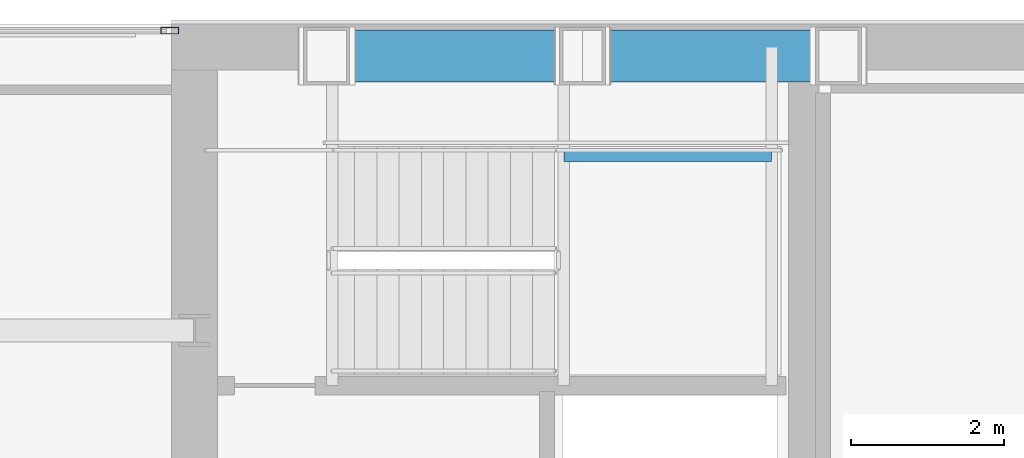
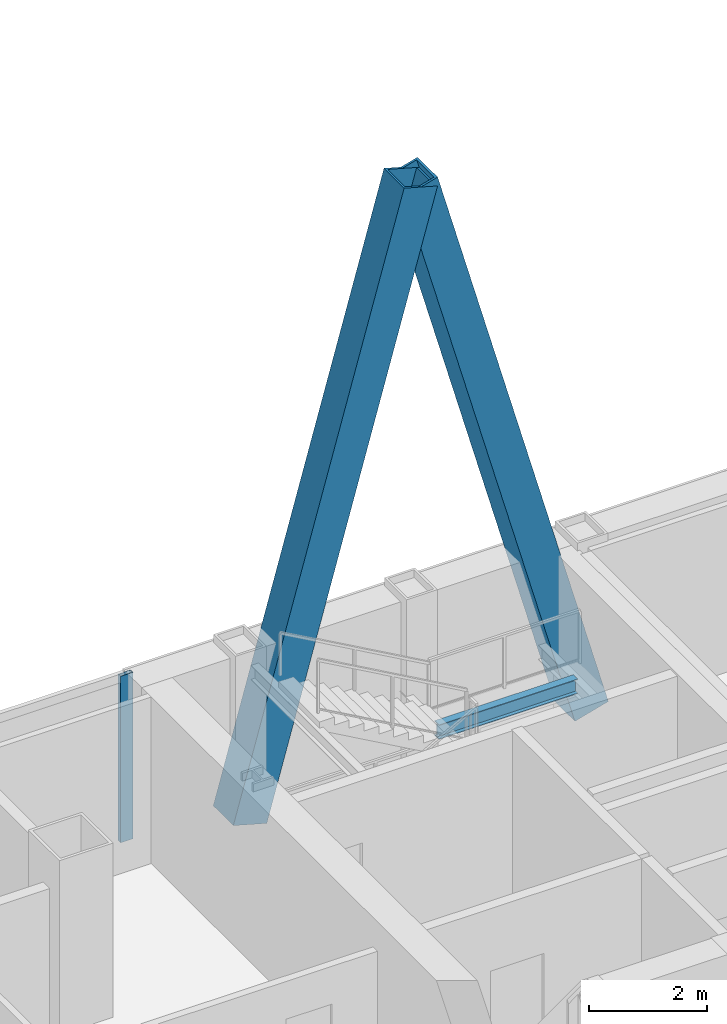
# One storey, part 22 of 31: 3 members, 1 beam, 1 element without a shape of its own.
"""IFC4 building model written with IfcOpenShell, lengths in metres."""

from ifc_helpers import new_model, si_unit, direction, frame, origin, origin_2d, place, context, subcontext, project, spatial, hollow_rectangle, i_section, extrude, material, material_profile, profile_set, type_object, element, aggregate, save


model = new_model("IFC4")

# Units and contexts
model_context = context("Model", 3, precision=1e-05, world=origin(), true_north=direction((0.0, 1.0)))
body_context = subcontext(model_context, "Body", "Model", "MODEL_VIEW")
ifc_project = project(units=[si_unit("LENGTHUNIT", "METRE"), si_unit("AREAUNIT", "SQUARE_METRE"), si_unit("VOLUMEUNIT", "CUBIC_METRE"), si_unit("PLANEANGLEUNIT", "RADIAN"), si_unit("MASSUNIT", "GRAM", prefix="KILO")], contexts=[model_context])

# Site, building, storey
site_placement = place(None, origin())
site = spatial("IfcSite", under=ifc_project, at=site_placement, CompositionType="ELEMENT")
building_placement = place(site_placement, origin())
building = spatial("IfcBuilding", under=site, at=building_placement, Name="Khoronbel Lancet Exchange", CompositionType="ELEMENT")
storey_placement = place(building_placement, frame((0.0, 0.0, 249.800048828125)))
storey = spatial("IfcBuildingStorey", under=building, at=storey_placement, Name="L64", CompositionType="ELEMENT", Elevation=249.800048828125)

# Beam
ifc_material_1 = material(Name="Steel S355", Category="steel")
ifc_material_profile_1 = material_profile(ifc_material_1, i_section(OverallWidth=0.14990234375, OverallDepth=0.300048828125, WebThickness=0.007080078125, FlangeThickness=0.0107421875, at=origin_2d()), Name="IPE 300")
ifc_profile_set_1 = profile_set([ifc_material_profile_1], Name="Steel S355")
beam_type = type_object("IfcBeamType", Name="BM-BJ8", PredefinedType="JOIST", material=ifc_profile_set_1)
beam_placement = place(storey_placement, frame((21.320068359375, 51.97998046875, 1.449951171875), z_axis=(1.0, 0.0, 0.0), x_axis=(0.0, 1.0, 0.0)))
element("IfcBeam", 1, at=beam_placement, inside=storey, type_object=beam_type, Name="Level L64 stair ST1 landing cross trimmer beam 1", PredefinedType="JOIST", context=body_context, shape_type="SweptSolid", body=[
    extrude(i_section(OverallWidth=0.14990234375, OverallDepth=0.300048828125, WebThickness=0.007080078125, FlangeThickness=0.0107421875, at=origin_2d()), origin(), (0.0, 0.0, 1.0), 2.7099609375),
])

# Curtain wall, member
ifc_material_2 = material(Name="Low-E Solar Control Insulating Glass", Category="glass")
curtain_wall_type = type_object("IfcCurtainWallType", Name="CW-3", PredefinedType="NOTDEFINED", material=ifc_material_2)
curtain_wall_placement = place(storey_placement, origin())
curtain_wall = element("IfcCurtainWall", 2, at=curtain_wall_placement, inside=storey, type_object=curtain_wall_type, Name="Unitised curtain wall CW-L64-NWFLK", PredefinedType="NOTDEFINED")
ifc_material_3 = material(Name="Bronze-Anodised Aluminium 6063-T6", Category="aluminium")
ifc_material_profile_2 = material_profile(ifc_material_3, hollow_rectangle(XDim=0.0849609375, YDim=0.239990234375, WallThickness=0.006103515625, at=origin_2d()), Name="ALU MULLION 85x240")
ifc_profile_set_2 = profile_set([ifc_material_profile_2], Name="Bronze-Anodised Aluminium 6063-T6")
member_type_1 = type_object("IfcMemberType", Name="MEM-CWM1", PredefinedType="MULLION", material=ifc_profile_set_2)
member_placement = place(storey_placement, frame((16.177490234375, 53.610107421875, 0.0), z_axis=(0.0, 0.0, 1.0), x_axis=(0.0, -1.0, 0.0)))
member = element("IfcMember", 3, at=member_placement, type_object=member_type_1, Name="CW3 mullion 1", PredefinedType="MULLION", context=body_context, shape_type="SweptSolid", body=[
    extrude(hollow_rectangle(XDim=0.0849609375, YDim=0.239990234375, WallThickness=0.006103515625, at=origin_2d()), origin(), (0.0, 0.0, 1.0), 3.43994140625),
])
aggregate(curtain_wall, [member])

# Members
ifc_material_4 = material(Name="Steel S460", Category="steel")
ifc_material_profile_3 = material_profile(ifc_material_4, hollow_rectangle(XDim=0.679931640625, YDim=0.679931640625, WallThickness=0.044921875, at=origin_2d()), Name="BOX 680x680x45")
ifc_profile_set_3 = profile_set([ifc_material_profile_3], Name="Steel S460")
member_type_2 = type_object("IfcMemberType", Name="MEM-MB3", PredefinedType="BRACE", material=ifc_profile_set_3)
for number, where, z_axis, x_axis, name in (
    (4, (18.22509765625, 53.280029296875, 0.0), (0.267947134133, 0.0, 0.963433616452), (0.0, 1.0, 0.0), "Perimeter lancet brace tier 22 N-W-L"),
    (5, (24.89990234375, 53.280029296875, 0.0), (-0.267947134133, 0.0, 0.963433616452), (0.0, -1.0, 0.0), "Perimeter lancet brace tier 22 N-W-R"),
):
    element("IfcMember", number, at=place(storey_placement, frame(where, z_axis=z_axis, x_axis=x_axis)), inside=storey, type_object=member_type_2, Name=name, PredefinedType="BRACE", context=body_context, shape_type="SweptSolid", body=[
        extrude(hollow_rectangle(XDim=0.679931640625, YDim=0.679931640625, WallThickness=0.044921875, at=origin_2d()), origin(), (0.0, 0.0, 1.0), 12.45556640625),
    ])

save(model, "model.ifc")
